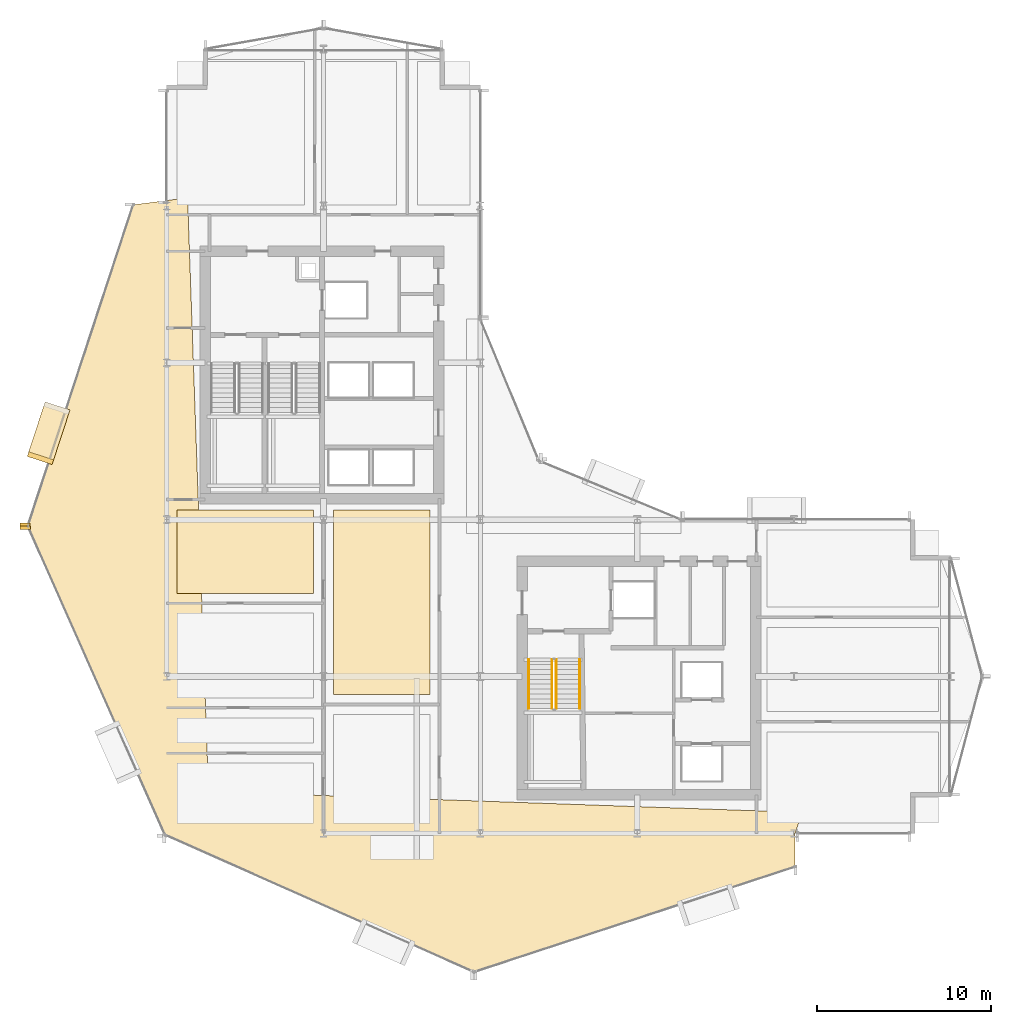
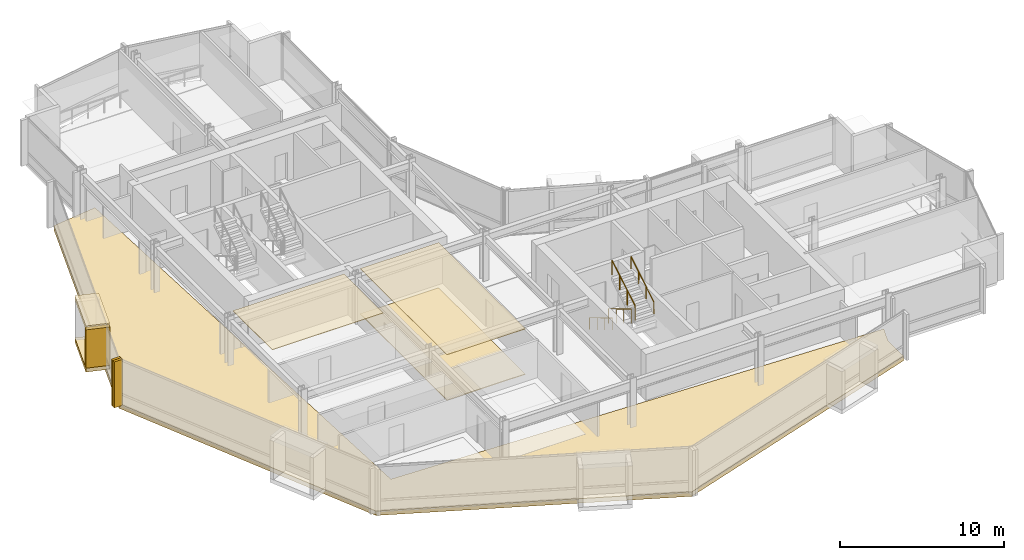
# One storey, part 26 of 29: 9 coverings, 4 railings.
"""IFC4 building model written with IfcOpenShell, lengths in metres."""

from ifc_helpers import new_model, si_unit, direction, frame, origin, origin_2d, place, context, subcontext, project, spatial, polyline, rectangle, circle, outline, extrude, material, layer, layer_set, type_object, element, save


model = new_model("IFC4")

# Units and contexts
model_context = context("Model", 3, precision=1e-05, world=origin(), true_north=direction((0.0, 1.0)))
body_context = subcontext(model_context, "Body", "Model", "MODEL_VIEW")
ifc_project = project(units=[si_unit("LENGTHUNIT", "METRE"), si_unit("AREAUNIT", "SQUARE_METRE"), si_unit("VOLUMEUNIT", "CUBIC_METRE"), si_unit("PLANEANGLEUNIT", "RADIAN"), si_unit("MASSUNIT", "GRAM", prefix="KILO")], contexts=[model_context])

# Site, building, storey
site_placement = place(None, origin())
site = spatial("IfcSite", under=ifc_project, at=site_placement, CompositionType="ELEMENT")
building_placement = place(site_placement, origin())
building = spatial("IfcBuilding", under=site, at=building_placement, Name="Solvaryn Broadcast Tower", CompositionType="ELEMENT")
storey_placement = place(building_placement, frame((0.0, 0.0, 113.699951171875)))
storey = spatial("IfcBuildingStorey", under=building, at=storey_placement, Name="L27", CompositionType="ELEMENT", Elevation=113.699951171875)

# Coverings
ifc_material_1 = material(Name="Micro-Perforated Acoustic Gypsum Ceiling", Category="concrete")
ifc_layer_1 = layer(ifc_material_1, 0.0400390625)
ifc_layer_set_1 = layer_set([ifc_layer_1], Name="CV-CEIL-ACOUSTIC")
covering_type_1 = type_object("IfcCoveringType", Name="CV-CEIL-ACOUSTIC", PredefinedType="CEILING", material=ifc_layer_set_1)
covering_1_placement = place(storey_placement, frame((0.0, 0.0, 3.380126953125)))
element("IfcCovering", 1, at=covering_1_placement, inside=storey, type_object=covering_type_1, Name="L27 Room Acoustic Ceiling 2", PredefinedType="CEILING", context=body_context, shape_type="SweptSolid", body=[
    extrude(outline(polyline([(18.570068359375, 16.969970703125), (24.10009765625, 16.969970703125), (24.10009765625, 27.56005859375), (18.570068359375, 27.56005859375), (18.570068359375, 16.969970703125)])), origin(), (0.0, 0.0, 1.0), 0.0400390625),
])
covering_2_placement = place(storey_placement, frame((0.0, 0.0, 3.380126953125)))
element("IfcCovering", 2, at=covering_2_placement, inside=storey, type_object=covering_type_1, Name="L27 Room Acoustic Ceiling 6", PredefinedType="CEILING", context=body_context, shape_type="SweptSolid", body=[
    extrude(outline(polyline([(9.60009765625, 22.77001953125), (17.429931640625, 22.77001953125), (17.429931640625, 27.56005859375), (9.60009765625, 27.56005859375), (9.60009765625, 22.77001953125)])), origin(), (0.0, 0.0, 1.0), 0.0400390625),
])
ifc_material_2 = material(Name="Newsroom Raised Data Access Flooring", Category="steel")
ifc_layer_2 = layer(ifc_material_2, 0.050048828125)
ifc_layer_set_2 = layer_set([ifc_layer_2], Name="CV-FLOOR-RAISED")
covering_type_2 = type_object("IfcCoveringType", Name="CV-FLOOR-RAISED", PredefinedType="FLOORING", material=ifc_layer_set_2)
covering_3_placement = place(storey_placement, origin())
element("IfcCovering", 3, at=covering_3_placement, inside=storey, type_object=covering_type_2, Name="L27 Room Acoustic Floor Finish 2", PredefinedType="FLOORING", context=body_context, shape_type="SweptSolid", body=[
    extrude(outline(polyline([(18.570068359375, 16.969970703125), (24.10009765625, 16.969970703125), (24.10009765625, 27.56005859375), (18.570068359375, 27.56005859375), (18.570068359375, 16.969970703125)])), origin(), (0.0, 0.0, 1.0), 0.050048828125),
])
ifc_material_3 = material(Name="Glazed Architectural Terracotta Rainscreen Cladding", Category="masonry")
ifc_layer_3 = layer(ifc_material_3, 0.280029296875)
ifc_layer_set_3 = layer_set([ifc_layer_3], Name="CV-TC-CLAD")
covering_type_3 = type_object("IfcCoveringType", Name="CV-TC-CLAD", PredefinedType="CLADDING", material=ifc_layer_set_3)
for number, where, z_axis, x_axis, name in (
    (4, (2.222900390625, 31.9619140625, 3.1298828125), (0.0, 0.0, 1.0), (-0.311671636848, -0.950189870912, 0.0), "L27 Projecting Stone Window Box Hood 1"),
    (5, (2.222900390625, 31.9619140625, -0.009765625), (0.0, 0.0, 1.0), (-0.311671636848, -0.950189870912, 0.0), "L27 Projecting Stone Window Box Sill 1"),
):
    element("IfcCovering", number, at=place(storey_placement, frame(where, z_axis=z_axis, x_axis=x_axis)), inside=storey, type_object=covering_type_3, Name=name, PredefinedType="CLADDING", context=body_context, shape_type="SweptSolid", body=[
        extrude(rectangle(XDim=3.300048828125, YDim=1.5, at=origin_2d()), origin(), (0.0, 0.0, 1.0), 0.300048828125),
    ])
covering_4_placement = place(storey_placement, frame((1.75244140625, 30.527099609375, 0.27978515625), z_axis=(0.0, 0.0, 1.0), x_axis=(-0.311671636848, -0.950189870912, 0.0)))
element("IfcCovering", 6, at=covering_4_placement, inside=storey, type_object=covering_type_3, Name="L27 Projecting Stone Window Box Cheek 1-2", PredefinedType="CLADDING", context=body_context, shape_type="SweptSolid", body=[
    extrude(rectangle(XDim=0.280029296875, YDim=1.5, at=origin_2d()), origin(), (0.0, 0.0, 1.0), 2.860107421875),
])
ifc_material_4 = material(Name="Extruded Architectural Terracotta Fin", Category="masonry")
ifc_layer_4 = layer(ifc_material_4, 0.179931640625)
ifc_layer_set_4 = layer_set([ifc_layer_4], Name="CV-TC-FIN")
covering_type_4 = type_object("IfcCoveringType", Name="CV-TC-FIN", PredefinedType="USERDEFINED", material=ifc_layer_set_4)
for number, where, z_axis, x_axis, name in (
    (7, (0.872314453125, 26.720703125, 0.0), (0.0, 0.0, 1.0), (1.0, 0.0, 0.0), "L27 Terracotta Vertical Fin FIN-L27-DR1-M01"),
    (8, (0.8818359375, 26.535888671875, 0.0), (0.0, 0.0, 1.0), (1.0, 0.0, 0.0), "L27 Terracotta Vertical Fin FIN-L27-DR2-M00"),
):
    element("IfcCovering", number, at=place(storey_placement, frame(where, z_axis=z_axis, x_axis=x_axis)), inside=storey, type_object=covering_type_4, Name=name, ObjectType="FIN", PredefinedType="USERDEFINED", context=body_context, shape_type="SweptSolid", body=[
        extrude(rectangle(XDim=0.580078125, YDim=0.179931640625, at=origin_2d()), origin(), (0.0, 0.0, 1.0), 3.419921875),
    ])
ifc_material_5 = material(Name="Sculpted Architectural Terracotta Wave Fascia", Category="masonry")
ifc_layer_5 = layer(ifc_material_5, 0.340087890625)
ifc_layer_set_5 = layer_set([ifc_layer_5], Name="CV-WAVE-TRAY")
covering_type_5 = type_object("IfcCoveringType", Name="CV-WAVE-TRAY", PredefinedType="CLADDING", material=ifc_layer_set_5)
covering_5_placement = place(storey_placement, frame((0.0, 0.0, -0.300048828125)))
element("IfcCovering", 9, at=covering_5_placement, inside=storey, type_object=covering_type_5, Name="L27 Stepped Cylindrical Drum Floor Apron", PredefinedType="CLADDING", context=body_context, shape_type="SweptSolid", body=[
    extrude(outline(polyline([(10.199951171875, 45.467041015625), (7.0791015625, 45.06689453125), (1.033935546875, 26.635986328125), (8.907958984375, 8.907958984375), (26.635986328125, 1.033935546875), (45.06689453125, 7.0791015625), (45.06689453125, 9.0), (45.467041015625, 10.199951171875), (11.39990234375, 11.39990234375), (10.199951171875, 45.467041015625)])), origin(), (0.0, 0.0, 1.0), 0.330078125),
])

# Railings
ifc_material_6 = material(Name="Painted Steel Stair Well Guard", Category="steel")
railing_type_1 = type_object("IfcRailingType", Name="RL-STAIR-GUARD", PredefinedType="BALUSTRADE", material=ifc_material_6)
railing_1_placement = place(storey_placement, frame((31.110107421875, 18.9599609375, 0.168212890625)))
element("IfcRailing", 10, at=railing_1_placement, inside=storey, type_object=railing_type_1, Name="L27 ST3 stair guard 1", PredefinedType="BALUSTRADE", context=body_context, shape_type="SweptSolid", body=[
    extrude(circle(Radius=0.02392578125, at=origin_2d()), frame((0.0, 0.0, 1.076171875), z_axis=(0.0, -0.857242210791, 0.514913383045), x_axis=(1.0, 0.0, 0.0)), (0.0, 0.0, 1.0), 3.266357421875),
    extrude(circle(Radius=0.02099609375, at=origin_2d()), origin(), (0.0, 0.0, 1.0), 1.052001953125),
    extrude(circle(Radius=0.02099609375, at=origin_2d()), frame((0.0, -0.933349609375, 0.560546875)), (0.0, 0.0, 1.0), 1.052001953125),
    extrude(circle(Radius=0.02099609375, at=origin_2d()), frame((0.0, -1.86669921875, 1.121337890625)), (0.0, 0.0, 1.0), 1.052001953125),
    extrude(circle(Radius=0.02099609375, at=origin_2d()), frame((0.0, -2.800048828125, 1.681884765625)), (0.0, 0.0, 1.0), 1.052001953125),
])
railing_2_placement = place(storey_placement, frame((31.360107421875, 16.159912109375, 2.018310546875)))
element("IfcRailing", 11, at=railing_2_placement, inside=storey, type_object=railing_type_1, Name="L27 ST3 stair guard 3", PredefinedType="BALUSTRADE", context=body_context, shape_type="SweptSolid", body=[
    extrude(circle(Radius=0.02392578125, at=origin_2d()), frame((0.0, 0.0, 1.076171875), z_axis=(0.0, 0.857275202839, 0.514858452973), x_axis=(-1.0, 0.0, 0.0)), (0.0, 0.0, 1.0), 3.26611328125),
    extrude(circle(Radius=0.02099609375, at=origin_2d()), origin(), (0.0, 0.0, 1.0), 1.052001953125),
    extrude(circle(Radius=0.02099609375, at=origin_2d()), frame((0.0, 0.933349609375, 0.560546875)), (0.0, 0.0, 1.0), 1.052001953125),
    extrude(circle(Radius=0.02099609375, at=origin_2d()), frame((0.0, 1.86669921875, 1.12109375)), (0.0, 0.0, 1.0), 1.052001953125),
    extrude(circle(Radius=0.02099609375, at=origin_2d()), frame((0.0, 2.800048828125, 1.681640625)), (0.0, 0.0, 1.0), 1.052001953125),
])
ifc_material_7 = material(Name="Brushed Stainless Steel Tubular Handrail", Category="steel")
railing_type_2 = type_object("IfcRailingType", Name="RL-STAIR-HANDRAIL", PredefinedType="HANDRAIL", material=ifc_material_7)
railing_3_placement = place(storey_placement, frame((29.77001953125, 18.9599609375, 0.168212890625)))
element("IfcRailing", 12, at=railing_3_placement, inside=storey, type_object=railing_type_2, Name="L27 ST3 stair handrail 1", PredefinedType="HANDRAIL", context=body_context, shape_type="SweptSolid", body=[
    extrude(circle(Radius=0.02392578125, at=origin_2d()), frame((0.0, 0.0, 0.8759765625), z_axis=(0.0, -0.857242210791, 0.514913383045), x_axis=(1.0, 0.0, 0.0)), (0.0, 0.0, 1.0), 3.266357421875),
    extrude(circle(Radius=0.02099609375, at=origin_2d()), origin(), (0.0, 0.0, 1.0), 0.851806640625),
    extrude(circle(Radius=0.02099609375, at=origin_2d()), frame((0.0, -0.933349609375, 0.560546875)), (0.0, 0.0, 1.0), 0.851806640625),
    extrude(circle(Radius=0.02099609375, at=origin_2d()), frame((0.0, -1.86669921875, 1.121337890625)), (0.0, 0.0, 1.0), 0.851806640625),
    extrude(circle(Radius=0.02099609375, at=origin_2d()), frame((0.0, -2.800048828125, 1.681884765625)), (0.0, 0.0, 1.0), 0.851806640625),
])
railing_4_placement = place(storey_placement, frame((32.699951171875, 16.159912109375, 2.018310546875)))
element("IfcRailing", 13, at=railing_4_placement, inside=storey, type_object=railing_type_2, Name="L27 ST3 stair handrail 2", PredefinedType="HANDRAIL", context=body_context, shape_type="SweptSolid", body=[
    extrude(circle(Radius=0.02392578125, at=origin_2d()), frame((0.0, 0.0, 0.8759765625), z_axis=(0.0, 0.857275202839, 0.514858452973), x_axis=(-1.0, 0.0, 0.0)), (0.0, 0.0, 1.0), 3.26611328125),
    extrude(circle(Radius=0.02099609375, at=origin_2d()), origin(), (0.0, 0.0, 1.0), 0.851806640625),
    extrude(circle(Radius=0.02099609375, at=origin_2d()), frame((0.0, 0.933349609375, 0.560546875)), (0.0, 0.0, 1.0), 0.851806640625),
    extrude(circle(Radius=0.02099609375, at=origin_2d()), frame((0.0, 1.86669921875, 1.12109375)), (0.0, 0.0, 1.0), 0.851806640625),
    extrude(circle(Radius=0.02099609375, at=origin_2d()), frame((0.0, 2.800048828125, 1.681640625)), (0.0, 0.0, 1.0), 0.851806640625),
])

save(model, "model.ifc")
